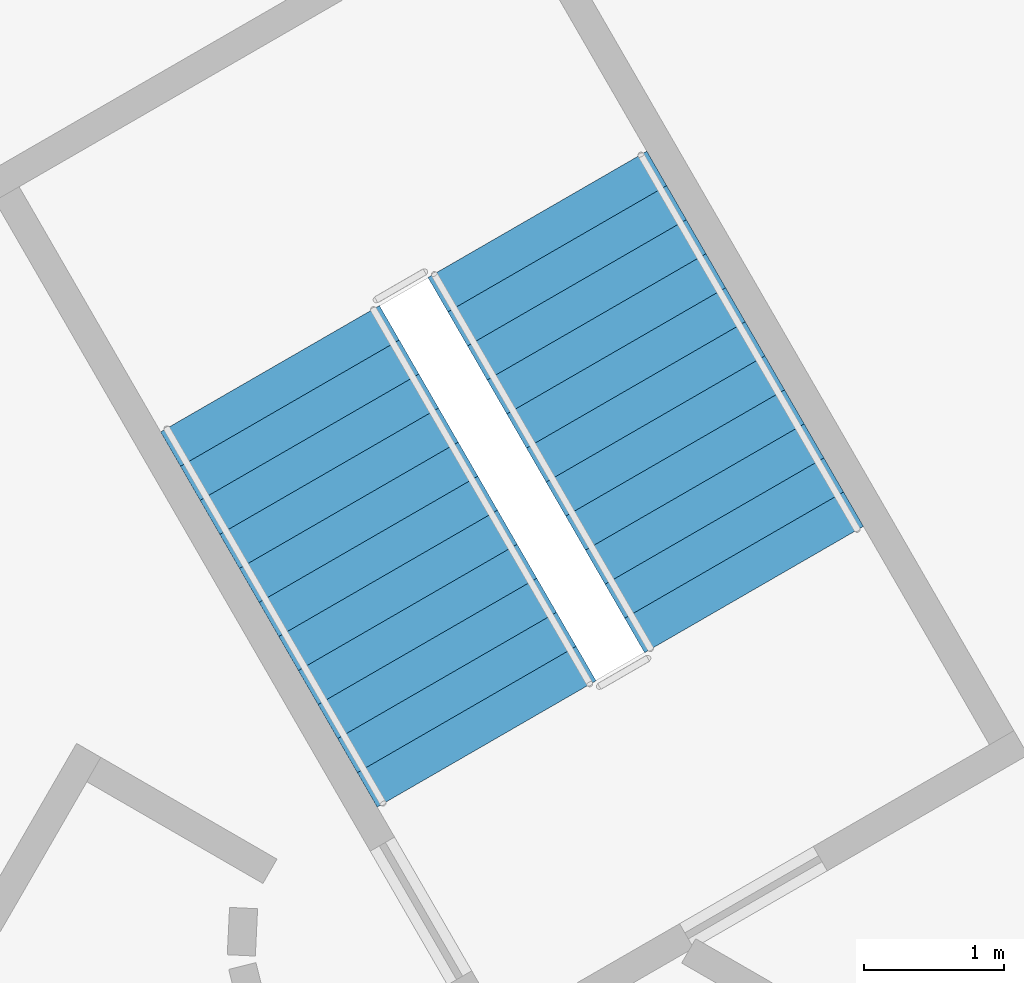
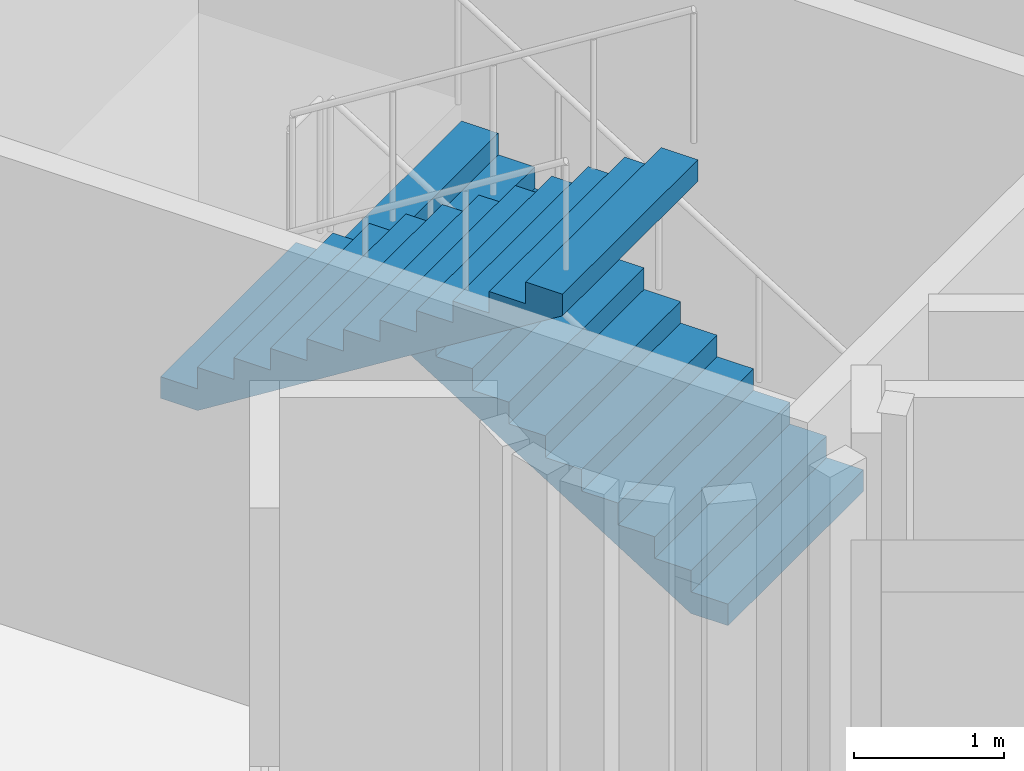
# One storey, part 13 of 15: 2 stair flights, 1 element without a shape of its own.
"""IFC4 building model written with IfcOpenShell, lengths in metres."""

from ifc_helpers import new_model, si_unit, direction, frame, origin, place, context, subcontext, project, spatial, polyline, outline, extrude, material, type_object, element, aggregate, save


model = new_model("IFC4")

# Units and contexts
model_context = context("Model", 3, precision=1e-05, world=origin(), true_north=direction((0.0, 1.0)))
body_context = subcontext(model_context, "Body", "Model", "MODEL_VIEW")
ifc_project = project(units=[si_unit("LENGTHUNIT", "METRE"), si_unit("AREAUNIT", "SQUARE_METRE"), si_unit("VOLUMEUNIT", "CUBIC_METRE"), si_unit("PLANEANGLEUNIT", "RADIAN"), si_unit("MASSUNIT", "GRAM", prefix="KILO")], contexts=[model_context])

# Site, building, storey
site_placement = place(None, origin())
site = spatial("IfcSite", under=ifc_project, at=site_placement, CompositionType="ELEMENT")
building_placement = place(site_placement, origin())
building = spatial("IfcBuilding", under=site, at=building_placement, Name="Entoto Arch Interchange Tower", CompositionType="ELEMENT")
storey_placement = place(building_placement, frame((0.0, 0.0, 39.199951171875)))
storey = spatial("IfcBuildingStorey", under=building, at=storey_placement, Name="L07", CompositionType="ELEMENT", Elevation=39.199951171875)

# Stair, stair flights
ifc_material = material(Name="Concrete C40/50", Category="concrete")
stair_type = type_object("IfcStairType", Name="EXIT STAIR RC 1800", PredefinedType="HALF_TURN_STAIR", material=ifc_material)
stair_placement = place(storey_placement, origin())
stair = element("IfcStair", 1, at=stair_placement, inside=storey, type_object=stair_type, Name="L07 Exit stair NE", PredefinedType="HALF_TURN_STAIR")
stair_flight_type = type_object("IfcStairFlightType", Name="EXIT STAIR FLIGHT RC 1800", PredefinedType="STRAIGHT", material=ifc_material)
stair_flight_1_placement = place(storey_placement, frame((6.7138671875, 4.470947265625, 0.0), z_axis=(0.0, 0.0, 1.0), x_axis=(-0.5, 0.866025403784, 0.0)))
stair_flight_1 = element("IfcStairFlight", 2, at=stair_flight_1_placement, type_object=stair_flight_type, Name="ST-NE flight 1", NumberOfRisers=12, NumberOfTreads=11, PredefinedType="STRAIGHT", RiserHeight=0.175, TreadLength=0.28, context=body_context, shape_type="SweptSolid", body=[
    extrude(outline(polyline([(-0.0029296875, 0.0), (-0.0029296875, 0.175048828125), (0.280029296875, 0.175048828125), (0.280029296875, 0.35009765625), (0.56005859375, 0.35009765625), (0.56005859375, 0.52490234375), (0.840087890625, 0.52490234375), (0.840087890625, 0.699951171875), (1.1201171875, 0.699951171875), (1.1201171875, 0.875), (1.39990234375, 0.875), (1.39990234375, 1.050048828125), (1.679931640625, 1.050048828125), (1.679931640625, 1.22509765625), (1.9599609375, 1.22509765625), (1.9599609375, 1.39990234375), (2.239990234375, 1.39990234375), (2.239990234375, 1.574951171875), (2.52001953125, 1.574951171875), (2.52001953125, 1.75), (2.800048828125, 1.75), (2.800048828125, 1.925048828125), (3.080078125, 1.925048828125), (3.0830078125, 1.925048828125), (3.0830078125, 1.75), (0.28271484375, 0.0), (-0.0029296875, 0.0)])), frame((0.0, 0.89990234375, 0.0), z_axis=(0.0, -1.0, 0.0), x_axis=(1.0, 0.0, 0.0)), (0.0, 0.0, 1.0), 1.800048828125),
])
stair_flight_2_placement = place(storey_placement, frame((3.268798828125, 6.038330078125, 2.10009765625), z_axis=(0.0, 0.0, 1.0), x_axis=(0.5, -0.866025403784, 0.0)))
stair_flight_2 = element("IfcStairFlight", 3, at=stair_flight_2_placement, type_object=stair_flight_type, Name="ST-NE flight 2", NumberOfRisers=12, NumberOfTreads=11, PredefinedType="STRAIGHT", RiserHeight=0.175, TreadLength=0.28, context=body_context, shape_type="SweptSolid", body=[
    extrude(outline(polyline([(-0.0029296875, 0.0), (-0.0029296875, 0.175048828125), (0.280029296875, 0.175048828125), (0.280029296875, 0.35009765625), (0.56005859375, 0.35009765625), (0.56005859375, 0.52490234375), (0.840087890625, 0.52490234375), (0.840087890625, 0.699951171875), (1.1201171875, 0.699951171875), (1.1201171875, 0.875), (1.39990234375, 0.875), (1.39990234375, 1.050048828125), (1.679931640625, 1.050048828125), (1.679931640625, 1.22509765625), (1.9599609375, 1.22509765625), (1.9599609375, 1.39990234375), (2.239990234375, 1.39990234375), (2.239990234375, 1.574951171875), (2.52001953125, 1.574951171875), (2.52001953125, 1.75), (2.800048828125, 1.75), (2.800048828125, 1.925048828125), (3.080078125, 1.925048828125), (3.0830078125, 1.925048828125), (3.0830078125, 1.75), (0.28271484375, 0.0), (-0.0029296875, 0.0)])), frame((0.0, 0.89990234375, 0.0), z_axis=(0.0, -1.0, 0.0), x_axis=(1.0, 0.0, 0.0)), (0.0, 0.0, 1.0), 1.800048828125),
])
aggregate(stair, [stair_flight_1, stair_flight_2])

save(model, "model.ifc")
